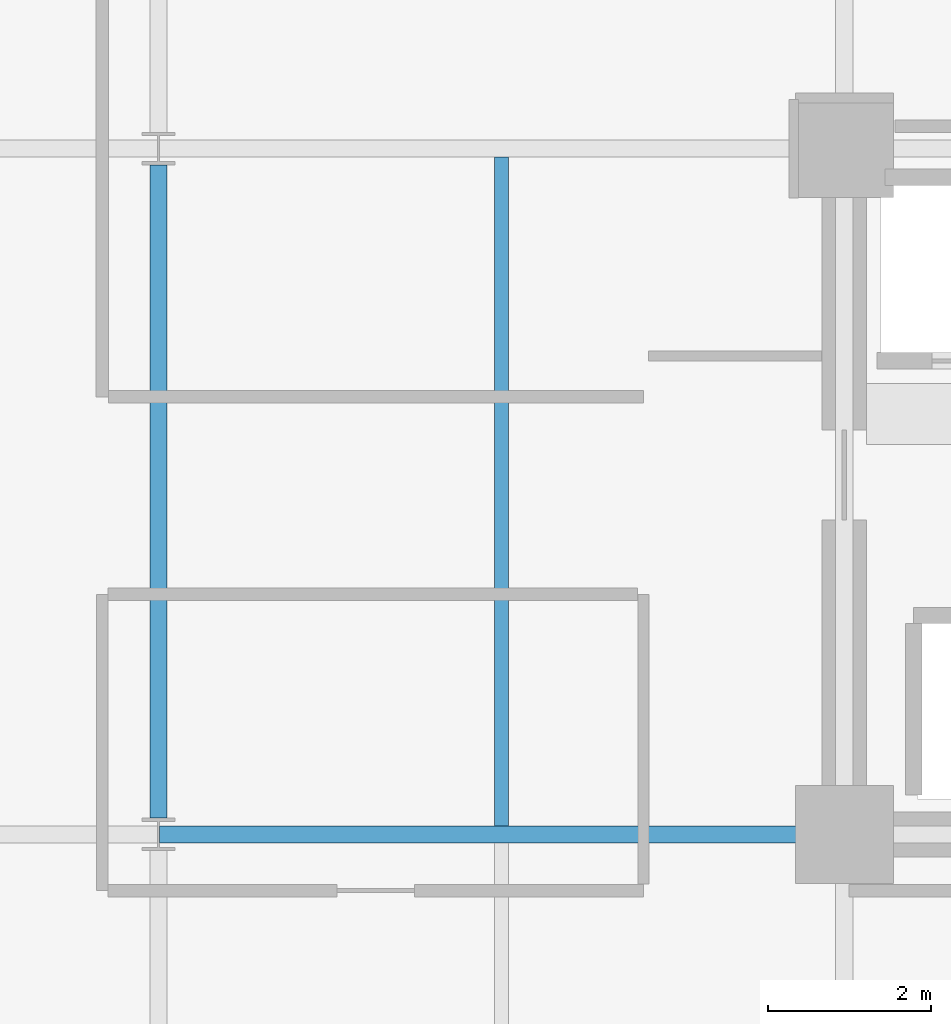
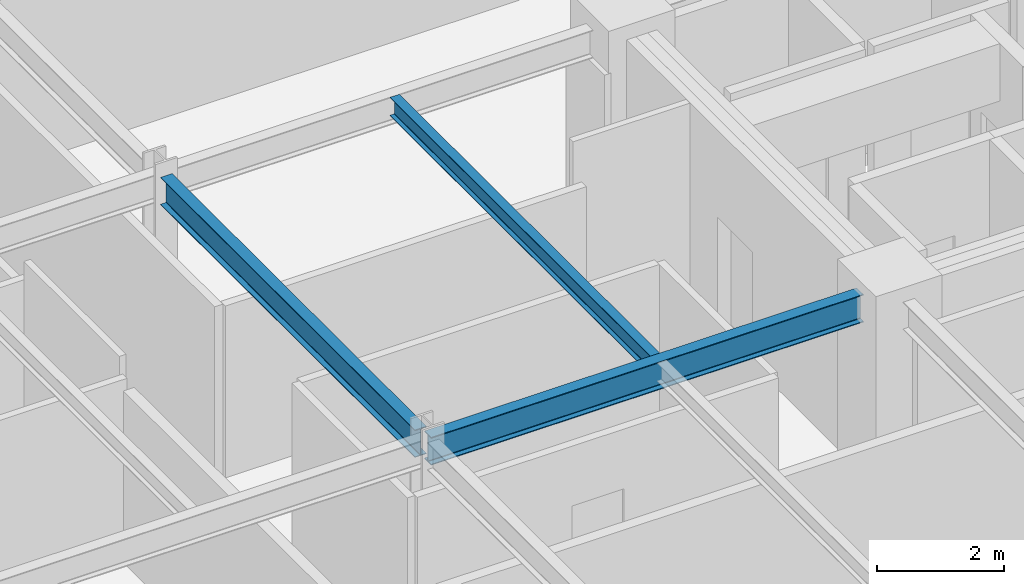
# One storey, part 5 of 30: 3 beams.
"""IFC4 building model written with IfcOpenShell, lengths in metres."""

from ifc_helpers import new_model, si_unit, direction, frame, origin, origin_2d, place, context, subcontext, project, spatial, i_section, extrude, material, material_profile, profile_set, type_object, element, save


model = new_model("IFC4")

# Units and contexts
model_context = context("Model", 3, precision=1e-05, world=origin(), true_north=direction((0.0, 1.0)))
body_context = subcontext(model_context, "Body", "Model", "MODEL_VIEW")
ifc_project = project(units=[si_unit("LENGTHUNIT", "METRE"), si_unit("AREAUNIT", "SQUARE_METRE"), si_unit("VOLUMEUNIT", "CUBIC_METRE"), si_unit("PLANEANGLEUNIT", "RADIAN"), si_unit("MASSUNIT", "GRAM", prefix="KILO")], contexts=[model_context])

# Site, building, storey
site_placement = place(None, origin())
site = spatial("IfcSite", under=ifc_project, at=site_placement, CompositionType="ELEMENT")
building_placement = place(site_placement, origin())
building = spatial("IfcBuilding", under=site, at=building_placement, Name="Nerrivon Quay Data Exchange", CompositionType="ELEMENT")
storey_placement = place(building_placement, frame((0.0, 0.0, 129.5)))
storey = spatial("IfcBuildingStorey", under=building, at=storey_placement, Name="L30", CompositionType="ELEMENT", Elevation=129.5)

# Beams
ifc_material = material(Name="Steel Grade 350", Category="steel")
ifc_material_profile_1 = material_profile(ifc_material, i_section(OverallWidth=0.208984375, OverallDepth=0.532958984375, WebThickness=0.01025390625, FlangeThickness=0.015625, FilletRadius=0.013916015625, at=origin_2d()), Name="530UB92.4")
ifc_profile_set_1 = profile_set([ifc_material_profile_1], Name="Steel Grade 350")
beam_type_1 = type_object("IfcBeamType", Name="BM-G3-530UB92", PredefinedType="BEAM", material=ifc_profile_set_1)
beam_1_placement = place(storey_placement, frame((8.41259765625, 8.39990234375, 3.55859375), z_axis=(1.0, 0.0, 0.0), x_axis=(0.0, 1.0, 0.0)))
element("IfcBeam", 1, at=beam_1_placement, inside=storey, type_object=beam_type_1, Name="L30 EW Girder Y=8.4 (8.4..16.8)", PredefinedType="BEAM", context=body_context, shape_type="SweptSolid", body=[
    extrude(i_section(OverallWidth=0.208984375, OverallDepth=0.532958984375, WebThickness=0.01025390625, FlangeThickness=0.015625, FilletRadius=0.013916015625, at=origin_2d()), origin(), (0.0, 0.0, 1.0), 7.847412109375),
])
ifc_material_profile_2 = material_profile(ifc_material, i_section(OverallWidth=0.208984375, OverallDepth=0.528076171875, WebThickness=0.009521484375, FlangeThickness=0.01318359375, FilletRadius=0.013916015625, at=origin_2d()), Name="530UB82.0")
ifc_profile_set_2 = profile_set([ifc_material_profile_2], Name="Steel Grade 350")
beam_type_2 = type_object("IfcBeamType", Name="BM-G4-530UB82", PredefinedType="BEAM", material=ifc_profile_set_2)
beam_2_placement = place(storey_placement, frame((8.39990234375, 8.60009765625, 3.56103515625), z_axis=(0.0, 1.0, 0.0), x_axis=(-1.0, 0.0, 0.0)))
element("IfcBeam", 2, at=beam_2_placement, inside=storey, type_object=beam_type_2, Name="L30 NS Girder X=8.4 (8.4..16.8)", PredefinedType="BEAM", context=body_context, shape_type="SweptSolid", body=[
    extrude(i_section(OverallWidth=0.208984375, OverallDepth=0.528076171875, WebThickness=0.009521484375, FlangeThickness=0.01318359375, FilletRadius=0.013916015625, at=origin_2d()), origin(), (0.0, 0.0, 1.0), 8.0),
])
ifc_material_profile_3 = material_profile(ifc_material, i_section(OverallWidth=0.1708984375, OverallDepth=0.35595703125, WebThickness=0.00732421875, FlangeThickness=0.011474609375, FilletRadius=0.011474609375, at=origin_2d()), Name="360UB50.7")
ifc_profile_set_3 = profile_set([ifc_material_profile_3], Name="Steel Grade 350")
beam_type_3 = type_object("IfcBeamType", Name="BM-J4-360UB51", PredefinedType="JOIST", material=ifc_profile_set_3)
beam_3_placement = place(storey_placement, frame((12.60009765625, 8.50439453125, 3.64697265625), z_axis=(0.0, 1.0, 0.0), x_axis=(-1.0, 0.0, 0.0)))
element("IfcBeam", 3, at=beam_3_placement, inside=storey, type_object=beam_type_3, Name="L30 Secondary Joist X=12.6 (8.4..16.8)", PredefinedType="JOIST", context=body_context, shape_type="SweptSolid", body=[
    extrude(i_section(OverallWidth=0.1708984375, OverallDepth=0.35595703125, WebThickness=0.00732421875, FlangeThickness=0.011474609375, FilletRadius=0.011474609375, at=origin_2d()), origin(), (0.0, 0.0, 1.0), 8.191162109375),
])

save(model, "model.ifc")
